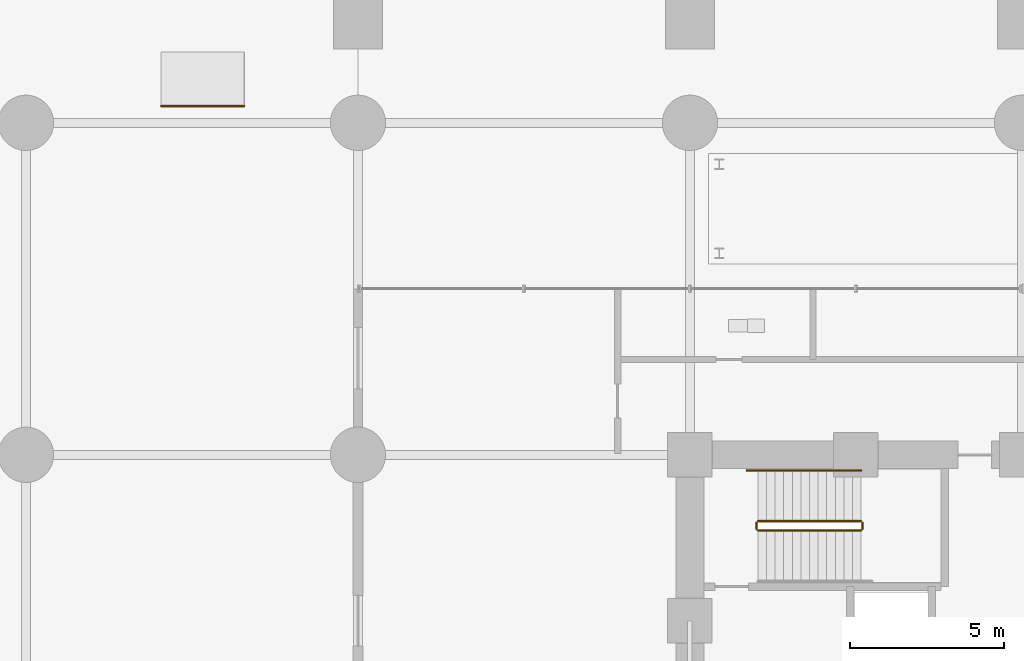
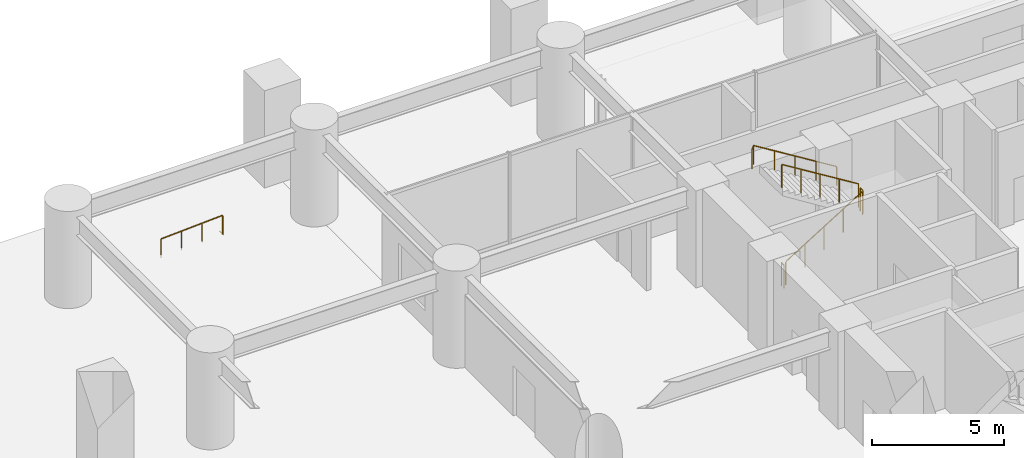
# One storey, part 26 of 29: 6 railings.
"""IFC4 building model written with IfcOpenShell, lengths in metres."""

from ifc_helpers import new_model, si_unit, direction, frame, origin, origin_2d, place, context, subcontext, project, spatial, circle, extrude, material, type_object, element, save


model = new_model("IFC4")

# Units and contexts
model_context = context("Model", 3, precision=1e-05, world=origin(), true_north=direction((0.0, 1.0)))
body_context = subcontext(model_context, "Body", "Model", "MODEL_VIEW")
ifc_project = project(units=[si_unit("LENGTHUNIT", "METRE"), si_unit("AREAUNIT", "SQUARE_METRE"), si_unit("VOLUMEUNIT", "CUBIC_METRE"), si_unit("PLANEANGLEUNIT", "RADIAN"), si_unit("MASSUNIT", "GRAM", prefix="KILO")], contexts=[model_context])

# Site, building, storey
site_placement = place(None, origin())
site = spatial("IfcSite", under=ifc_project, at=site_placement, CompositionType="ELEMENT")
building_placement = place(site_placement, origin())
building = spatial("IfcBuilding", under=site, at=building_placement, Name="Surkhivell Harbour Commons", CompositionType="ELEMENT")
storey_placement = place(building_placement, origin())
storey = spatial("IfcBuildingStorey", under=building, at=storey_placement, Name="L00", CompositionType="ELEMENT", Elevation=0.0)

# Railings
ifc_material_1 = material(Name="Brushed stainless steel S355 handrail", Category="steel")
railing_type_1 = type_object("IfcRailingType", Name="RAL-RMP-900", PredefinedType="HANDRAIL", material=ifc_material_1)
railing_1_placement = place(storey_placement, frame((-28.0, 22.14990234375, -0.14990234375)))
element("IfcRailing", 1, at=railing_1_placement, inside=storey, type_object=railing_type_1, Name="L00 Ramp Handrail HR-02", PredefinedType="HANDRAIL", context=body_context, shape_type="SweptSolid", body=[
    extrude(circle(Radius=0.02392578125, at=origin_2d()), frame((0.0, 0.0, 0.8759765625), z_axis=(0.998462297193, 0.0, 0.055435016772), x_axis=(0.0, 1.0, 0.0)), (0.0, 0.0, 1.0), 2.7041015625),
    extrude(circle(Radius=0.02099609375, at=origin_2d()), origin(), (0.0, 0.0, 1.0), 0.851806640625),
    extrude(circle(Radius=0.02099609375, at=origin_2d()), frame((0.89990234375, 0.0, 0.050048828125)), (0.0, 0.0, 1.0), 0.851806640625),
    extrude(circle(Radius=0.02099609375, at=origin_2d()), frame((1.800048828125, 0.0, 0.099853515625)), (0.0, 0.0, 1.0), 0.851806640625),
    extrude(circle(Radius=0.02099609375, at=origin_2d()), frame((2.699951171875, 0.0, 0.14990234375)), (0.0, 0.0, 1.0), 0.851806640625),
])
ifc_material_2 = material(Name="Galvanised and painted steel S355 guard rail", Category="steel")
railing_type_2 = type_object("IfcRailingType", Name="RAL-ST-GRD1100", PredefinedType="GUARDRAIL", material=ifc_material_2)
railing_2_placement = place(storey_placement, frame((-8.590087890625, 8.340087890625, 0.173095703125)))
element("IfcRailing", 2, at=railing_2_placement, inside=storey, type_object=railing_type_2, Name="L00 ST1 stair guard 1", PredefinedType="GUARDRAIL", context=body_context, shape_type="SweptSolid", body=[
    extrude(circle(Radius=0.02392578125, at=origin_2d()), frame((0.0, 0.0, 1.076171875), z_axis=(0.850623216509, 0.0, 0.525775754039), x_axis=(0.0, 1.0, 0.0)), (0.0, 0.0, 1.0), 3.9501953125),
    extrude(circle(Radius=0.02099609375, at=origin_2d()), origin(), (0.0, 0.0, 1.0), 1.052001953125),
    extrude(circle(Radius=0.02099609375, at=origin_2d()), frame((0.840087890625, 0.0, 0.519287109375)), (0.0, 0.0, 1.0), 1.052001953125),
    extrude(circle(Radius=0.02099609375, at=origin_2d()), frame((1.68017578125, 0.0, 1.03857421875)), (0.0, 0.0, 1.0), 1.052001953125),
    extrude(circle(Radius=0.02099609375, at=origin_2d()), frame((2.52001953125, 0.0, 1.5576171875)), (0.0, 0.0, 1.0), 1.052001953125),
    extrude(circle(Radius=0.02099609375, at=origin_2d()), frame((3.360107421875, 0.0, 2.076904296875)), (0.0, 0.0, 1.0), 1.052001953125),
])
railing_3_placement = place(storey_placement, frame((-5.179931640625, 8.389892578125, 2.25)))
element("IfcRailing", 3, at=railing_3_placement, inside=storey, type_object=railing_type_2, Name="L00 ST1 stair guard 2", PredefinedType="GUARDRAIL", context=body_context, shape_type="SweptSolid", body=[
    extrude(circle(Radius=0.02392578125, at=origin_2d()), frame((0.0, 0.0, 1.076171875), z_axis=(0.0, 1.0, 0.0), x_axis=(-1.0, 0.0, 0.0)), (0.0, 0.0, 1.0), 0.2001953125),
    extrude(circle(Radius=0.02099609375, at=origin_2d()), origin(), (0.0, 0.0, 1.0), 1.052001953125),
    extrude(circle(Radius=0.02099609375, at=origin_2d()), frame((0.0, 0.2001953125, 0.0)), (0.0, 0.0, 1.0), 1.052001953125),
])
railing_4_placement = place(storey_placement, frame((-5.22998046875, 8.639892578125, 2.423095703125)))
element("IfcRailing", 4, at=railing_4_placement, inside=storey, type_object=railing_type_2, Name="L00 ST1 stair guard 3", PredefinedType="GUARDRAIL", context=body_context, shape_type="SweptSolid", body=[
    extrude(circle(Radius=0.02392578125, at=origin_2d()), frame((0.0, 0.0, 1.076171875), z_axis=(-0.850623216509, 0.0, 0.525775754039), x_axis=(0.0, -1.0, 0.0)), (0.0, 0.0, 1.0), 3.9501953125),
    extrude(circle(Radius=0.02099609375, at=origin_2d()), origin(), (0.0, 0.0, 1.0), 1.052001953125),
    extrude(circle(Radius=0.02099609375, at=origin_2d()), frame((-0.840087890625, 0.0, 0.519287109375)), (0.0, 0.0, 1.0), 1.052001953125),
    extrude(circle(Radius=0.02099609375, at=origin_2d()), frame((-1.68017578125, 0.0, 1.03857421875)), (0.0, 0.0, 1.0), 1.052001953125),
    extrude(circle(Radius=0.02099609375, at=origin_2d()), frame((-2.52001953125, 0.0, 1.5576171875)), (0.0, 0.0, 1.0), 1.052001953125),
    extrude(circle(Radius=0.02099609375, at=origin_2d()), frame((-3.360107421875, 0.0, 2.076904296875)), (0.0, 0.0, 1.0), 1.052001953125),
])
railing_5_placement = place(storey_placement, frame((-8.639892578125, 8.389892578125, 0.0)))
element("IfcRailing", 5, at=railing_5_placement, inside=storey, type_object=railing_type_2, Name="L00 ST1 stair guard 4", PredefinedType="GUARDRAIL", context=body_context, shape_type="SweptSolid", body=[
    extrude(circle(Radius=0.02392578125, at=origin_2d()), frame((0.0, 0.0, 1.076171875), z_axis=(0.0, 1.0, 0.0), x_axis=(-1.0, 0.0, 0.0)), (0.0, 0.0, 1.0), 0.2001953125),
    extrude(circle(Radius=0.02099609375, at=origin_2d()), origin(), (0.0, 0.0, 1.0), 1.052001953125),
    extrude(circle(Radius=0.02099609375, at=origin_2d()), frame((0.0, 0.2001953125, 0.0)), (0.0, 0.0, 1.0), 1.052001953125),
])
railing_type_3 = type_object("IfcRailingType", Name="RAL-ST-HND900", PredefinedType="HANDRAIL", material=ifc_material_1)
railing_6_placement = place(storey_placement, frame((-5.22998046875, 10.2900390625, 2.423095703125)))
element("IfcRailing", 6, at=railing_6_placement, inside=storey, type_object=railing_type_3, Name="L00 ST1 stair handrail 2", PredefinedType="HANDRAIL", context=body_context, shape_type="SweptSolid", body=[
    extrude(circle(Radius=0.02392578125, at=origin_2d()), frame((0.0, 0.0, 0.8759765625), z_axis=(-0.850622404505, 0.0, 0.525777067734), x_axis=(0.0, -1.0, 0.0)), (0.0, 0.0, 1.0), 4.279296875),
    extrude(circle(Radius=0.02392578125, at=origin_2d()), frame((-3.64013671875, 0.0, 3.1259765625), z_axis=(-0.418814502111, 0.0, -0.908071810388), x_axis=(0.0, -1.0, 0.0)), (0.0, 0.0, 1.0), 0.190673828125),
    extrude(circle(Radius=0.02099609375, at=origin_2d()), origin(), (0.0, 0.0, 1.0), 0.851806640625),
    extrude(circle(Radius=0.02099609375, at=origin_2d()), frame((-0.91015625, 0.0, 0.5625)), (0.0, 0.0, 1.0), 0.851806640625),
    extrude(circle(Radius=0.02099609375, at=origin_2d()), frame((-1.820068359375, 0.0, 1.125)), (0.0, 0.0, 1.0), 0.851806640625),
    extrude(circle(Radius=0.02099609375, at=origin_2d()), frame((-2.72998046875, 0.0, 1.6875)), (0.0, 0.0, 1.0), 0.851806640625),
    extrude(circle(Radius=0.02099609375, at=origin_2d()), frame((-3.64013671875, 0.0, 2.25)), (0.0, 0.0, 1.0), 0.851806640625),
    extrude(circle(Radius=0.02099609375, at=origin_2d()), frame((-3.719970703125, 0.0, 2.076904296875)), (0.0, 0.0, 1.0), 0.851806640625),
])

save(model, "model.ifc")
